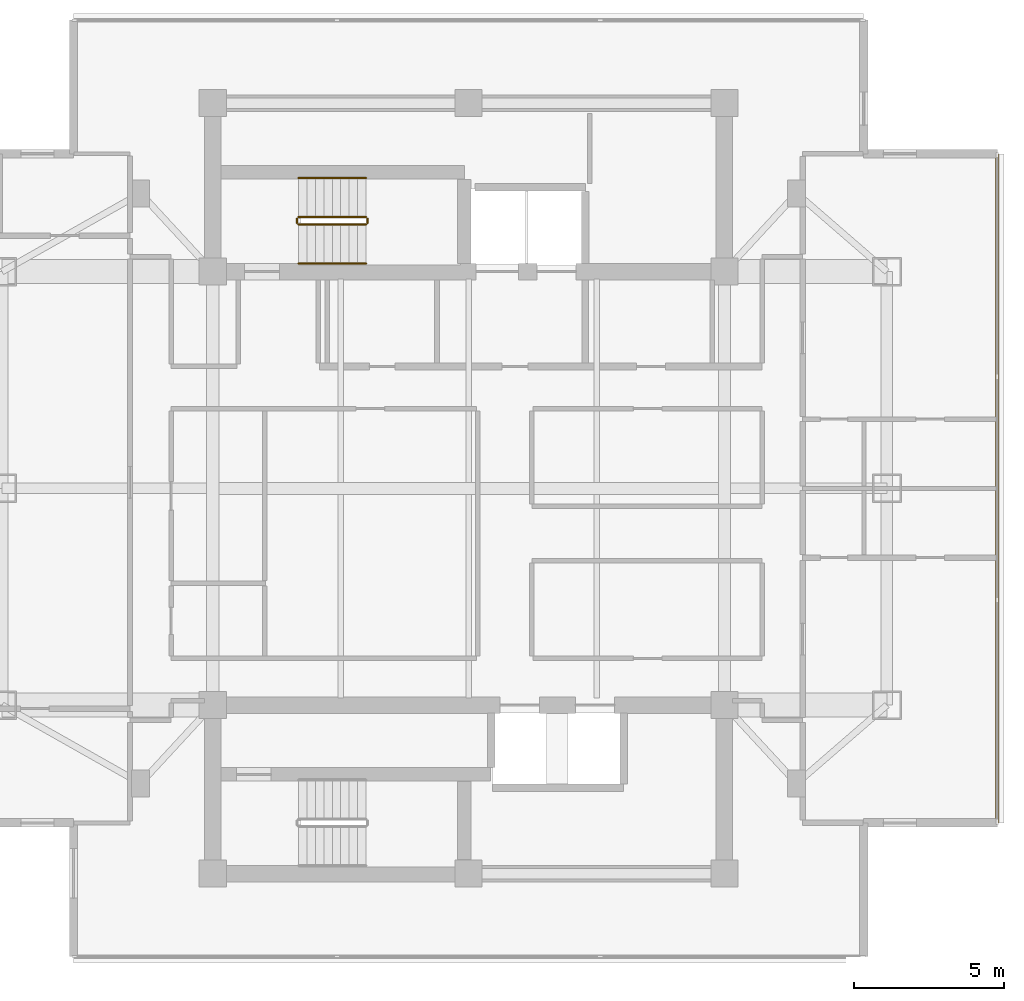
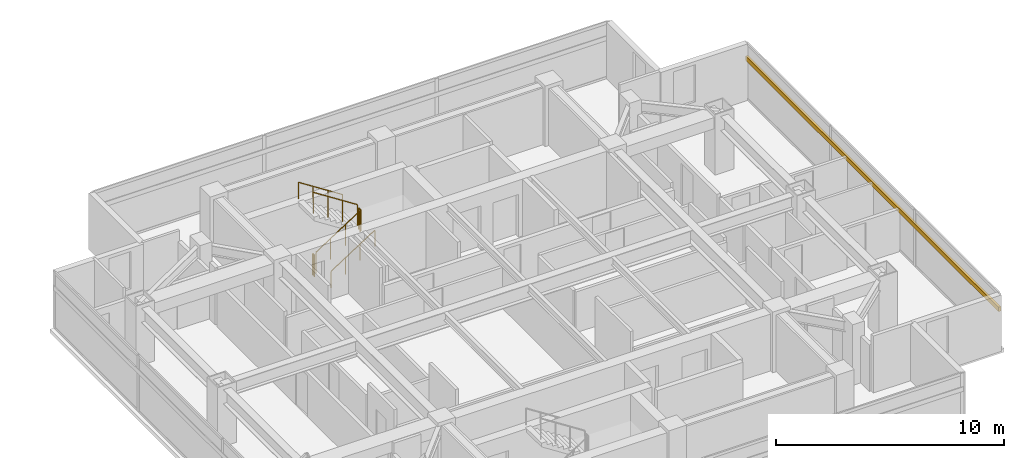
# One storey, part 23 of 24: 6 railings, 1 shading device.
"""IFC4 building model written with IfcOpenShell, lengths in metres."""

from ifc_helpers import new_model, si_unit, direction, frame, origin, origin_2d, place, context, subcontext, project, spatial, rectangle, circle, extrude, material, material_profile, profile_set, type_object, element, save


model = new_model("IFC4")

# Units and contexts
model_context = context("Model", 3, precision=1e-05, world=origin(), true_north=direction((0.0, 1.0)))
body_context = subcontext(model_context, "Body", "Model", "MODEL_VIEW")
ifc_project = project(units=[si_unit("LENGTHUNIT", "METRE"), si_unit("AREAUNIT", "SQUARE_METRE"), si_unit("VOLUMEUNIT", "CUBIC_METRE"), si_unit("PLANEANGLEUNIT", "RADIAN"), si_unit("MASSUNIT", "GRAM", prefix="KILO")], contexts=[model_context])

# Site, building, storey
site_placement = place(None, origin())
site = spatial("IfcSite", under=ifc_project, at=site_placement, CompositionType="ELEMENT")
building_placement = place(site_placement, origin())
building = spatial("IfcBuilding", under=site, at=building_placement, Name="Mirazonda Arch Towers", CompositionType="ELEMENT")
storey_placement = place(building_placement, frame((0.0, 0.0, 199.89990234375)))
storey = spatial("IfcBuildingStorey", under=building, at=storey_placement, Name="L57", CompositionType="ELEMENT", Elevation=199.89990234375)

# Shading device
ifc_material_1 = material(Name="Kiln-Fired Architectural Terracotta", Category="masonry")
ifc_material_profile = material_profile(ifc_material_1, rectangle(XDim=0.1201171875, YDim=0.239990234375, at=origin_2d()), Name="TERRA-BAG-120x240")
ifc_profile_set = profile_set([ifc_material_profile], Name="Kiln-Fired Architectural Terracotta")
shading_device_type = type_object("IfcShadingDeviceType", Name="BAGUETTE-1", PredefinedType="USERDEFINED", material=ifc_profile_set)
shading_device_placement = place(storey_placement, frame((94.0673828125, 16.884765625, 2.181640625), z_axis=(0.0, 1.0, 0.0), x_axis=(-1.0, 0.0, 0.0)))
element("IfcShadingDevice", 1, at=shading_device_placement, inside=storey, type_object=shading_device_type, Name="L57 Glazed Terracotta Sun-Screen Baguette CW-L57-T2-E", ObjectType="BAGUETTE", PredefinedType="USERDEFINED", context=body_context, shape_type="SweptSolid", body=[
    extrude(rectangle(XDim=0.1201171875, YDim=0.239990234375, at=origin_2d()), origin(), (0.0, 0.0, 1.0), 22.23046875),
])

# Railings
ifc_material_2 = material(Name="Architectural Brushed Steel S355", Category="steel")
railing_type_1 = type_object("IfcRailingType", Name="GUARD-STAIR-1120", PredefinedType="GUARDRAIL", material=ifc_material_2)
railing_1_placement = place(storey_placement, frame((70.85009765625, 36.77001953125, 0.1806640625)))
element("IfcRailing", 2, at=railing_1_placement, inside=storey, type_object=railing_type_1, Name="L57 ST-T2N stair guard 1", PredefinedType="GUARDRAIL", context=body_context, shape_type="SweptSolid", body=[
    extrude(circle(Radius=0.02392578125, at=origin_2d()), frame((0.0, 0.0, 1.1259765625), z_axis=(0.840436612492, 0.0, 0.541909863706), x_axis=(0.0, 1.0, 0.0)), (0.0, 0.0, 1.0), 2.665283203125),
    extrude(circle(Radius=0.02099609375, at=origin_2d()), origin(), (0.0, 0.0, 1.0), 1.101806640625),
    extrude(circle(Radius=0.02099609375, at=origin_2d()), frame((0.74658203125, 0.0, 0.4814453125)), (0.0, 0.0, 1.0), 1.101806640625),
    extrude(circle(Radius=0.02099609375, at=origin_2d()), frame((1.493408203125, 0.0, 0.962890625)), (0.0, 0.0, 1.0), 1.101806640625),
    extrude(circle(Radius=0.02099609375, at=origin_2d()), frame((2.239990234375, 0.0, 1.4443359375)), (0.0, 0.0, 1.0), 1.101806640625),
])
railing_2_placement = place(storey_placement, frame((73.139892578125, 36.820068359375, 1.625)))
element("IfcRailing", 3, at=railing_2_placement, inside=storey, type_object=railing_type_1, Name="L57 ST-T2N stair guard 2", PredefinedType="GUARDRAIL", context=body_context, shape_type="SweptSolid", body=[
    extrude(circle(Radius=0.02392578125, at=origin_2d()), frame((0.0, 0.0, 1.1259765625), z_axis=(0.0, 1.0, 0.0), x_axis=(-1.0, 0.0, 0.0)), (0.0, 0.0, 1.0), 0.139892578125),
    extrude(circle(Radius=0.02099609375, at=origin_2d()), origin(), (0.0, 0.0, 1.0), 1.101806640625),
    extrude(circle(Radius=0.02099609375, at=origin_2d()), frame((0.0, 0.139892578125, 0.0)), (0.0, 0.0, 1.0), 1.101806640625),
])
railing_3_placement = place(storey_placement, frame((73.090087890625, 37.010009765625, 1.8056640625)))
element("IfcRailing", 4, at=railing_3_placement, inside=storey, type_object=railing_type_1, Name="L57 ST-T2N stair guard 3", PredefinedType="GUARDRAIL", context=body_context, shape_type="SweptSolid", body=[
    extrude(circle(Radius=0.02392578125, at=origin_2d()), frame((0.0, 0.0, 1.1259765625), z_axis=(-0.840436612492, 0.0, 0.541909863706), x_axis=(0.0, -1.0, 0.0)), (0.0, 0.0, 1.0), 2.665283203125),
    extrude(circle(Radius=0.02099609375, at=origin_2d()), origin(), (0.0, 0.0, 1.0), 1.101806640625),
    extrude(circle(Radius=0.02099609375, at=origin_2d()), frame((-0.74658203125, 0.0, 0.4814453125)), (0.0, 0.0, 1.0), 1.101806640625),
    extrude(circle(Radius=0.02099609375, at=origin_2d()), frame((-1.493408203125, 0.0, 0.962890625)), (0.0, 0.0, 1.0), 1.101806640625),
    extrude(circle(Radius=0.02099609375, at=origin_2d()), frame((-2.239990234375, 0.0, 1.4443359375)), (0.0, 0.0, 1.0), 1.101806640625),
])
railing_4_placement = place(storey_placement, frame((70.800048828125, 36.820068359375, 0.0)))
element("IfcRailing", 5, at=railing_4_placement, inside=storey, type_object=railing_type_1, Name="L57 ST-T2N stair guard 4", PredefinedType="GUARDRAIL", context=body_context, shape_type="SweptSolid", body=[
    extrude(circle(Radius=0.02392578125, at=origin_2d()), frame((0.0, 0.0, 1.1259765625), z_axis=(0.0, 1.0, 0.0), x_axis=(-1.0, 0.0, 0.0)), (0.0, 0.0, 1.0), 0.139892578125),
    extrude(circle(Radius=0.02099609375, at=origin_2d()), origin(), (0.0, 0.0, 1.0), 1.101806640625),
    extrude(circle(Radius=0.02099609375, at=origin_2d()), frame((0.0, 0.139892578125, 0.0)), (0.0, 0.0, 1.0), 1.101806640625),
])
railing_type_2 = type_object("IfcRailingType", Name="HANDRAIL-915", PredefinedType="HANDRAIL", material=ifc_material_2)
railing_5_placement = place(storey_placement, frame((70.85009765625, 35.469970703125, 0.1806640625)))
element("IfcRailing", 6, at=railing_5_placement, inside=storey, type_object=railing_type_2, Name="L57 ST-T2N stair handrail 1", PredefinedType="HANDRAIL", context=body_context, shape_type="SweptSolid", body=[
    extrude(circle(Radius=0.02392578125, at=origin_2d()), frame((0.0, 0.0, 0.8759765625), z_axis=(0.840436612492, 0.0, 0.541909863706), x_axis=(0.0, 1.0, 0.0)), (0.0, 0.0, 1.0), 2.665283203125),
    extrude(circle(Radius=0.02099609375, at=origin_2d()), origin(), (0.0, 0.0, 1.0), 0.851806640625),
    extrude(circle(Radius=0.02099609375, at=origin_2d()), frame((0.74658203125, 0.0, 0.4814453125)), (0.0, 0.0, 1.0), 0.851806640625),
    extrude(circle(Radius=0.02099609375, at=origin_2d()), frame((1.493408203125, 0.0, 0.962890625)), (0.0, 0.0, 1.0), 0.851806640625),
    extrude(circle(Radius=0.02099609375, at=origin_2d()), frame((2.239990234375, 0.0, 1.4443359375)), (0.0, 0.0, 1.0), 0.851806640625),
])
railing_6_placement = place(storey_placement, frame((73.090087890625, 38.31005859375, 1.8056640625)))
element("IfcRailing", 7, at=railing_6_placement, inside=storey, type_object=railing_type_2, Name="L57 ST-T2N stair handrail 2", PredefinedType="HANDRAIL", context=body_context, shape_type="SweptSolid", body=[
    extrude(circle(Radius=0.02392578125, at=origin_2d()), frame((0.0, 0.0, 0.8759765625), z_axis=(-0.840436612492, 0.0, 0.541909863706), x_axis=(0.0, -1.0, 0.0)), (0.0, 0.0, 1.0), 2.665283203125),
    extrude(circle(Radius=0.02099609375, at=origin_2d()), origin(), (0.0, 0.0, 1.0), 0.851806640625),
    extrude(circle(Radius=0.02099609375, at=origin_2d()), frame((-0.74658203125, 0.0, 0.4814453125)), (0.0, 0.0, 1.0), 0.851806640625),
    extrude(circle(Radius=0.02099609375, at=origin_2d()), frame((-1.493408203125, 0.0, 0.962890625)), (0.0, 0.0, 1.0), 0.851806640625),
    extrude(circle(Radius=0.02099609375, at=origin_2d()), frame((-2.239990234375, 0.0, 1.4443359375)), (0.0, 0.0, 1.0), 0.851806640625),
])

save(model, "model.ifc")
